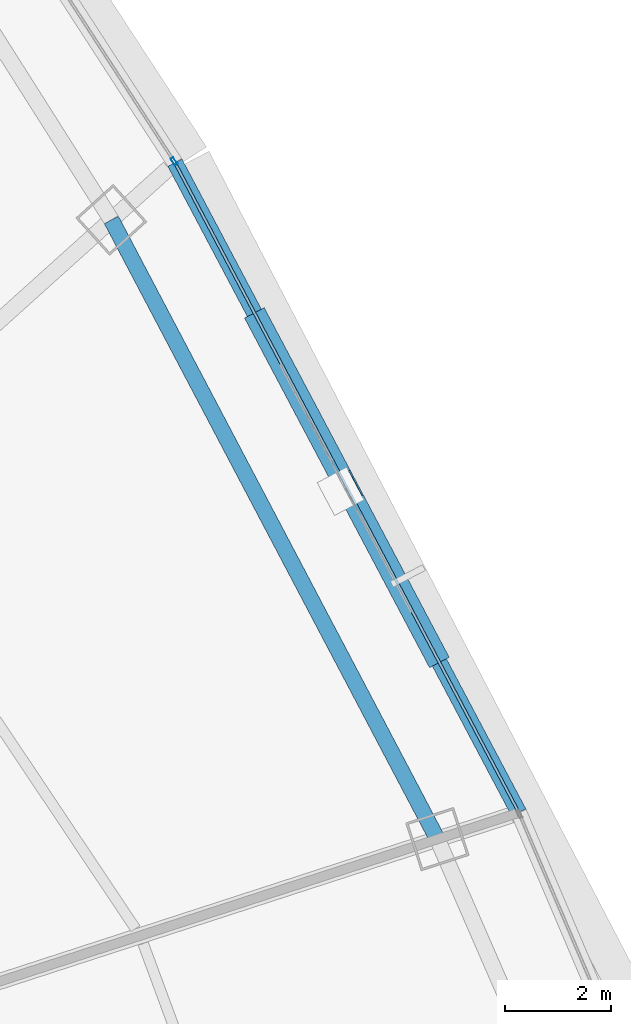
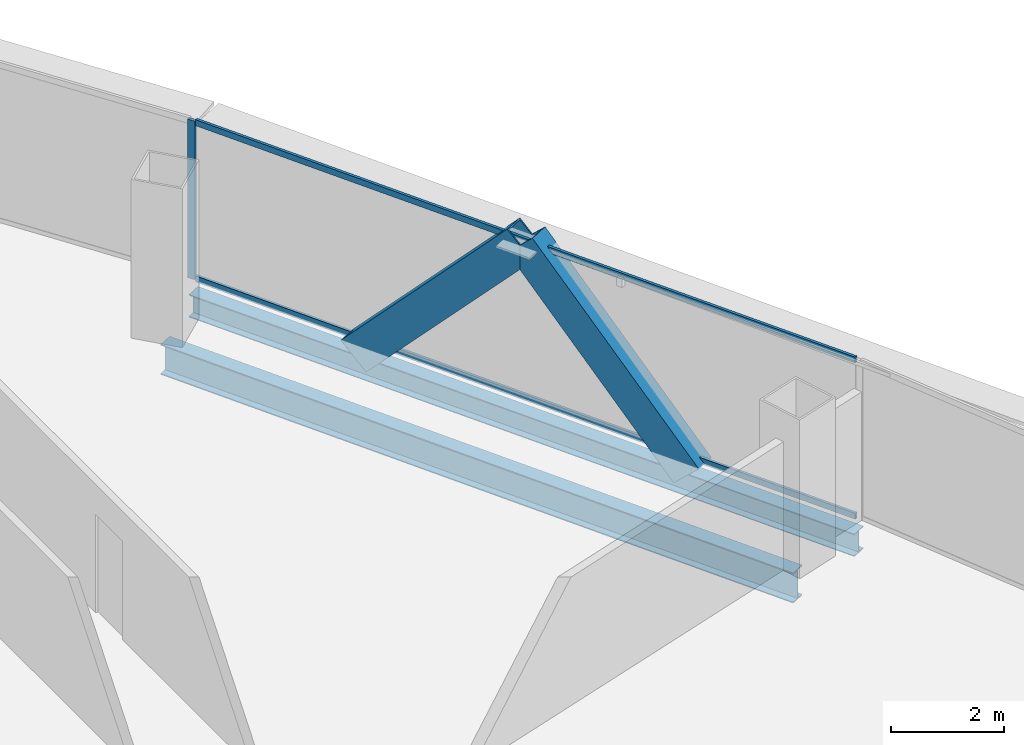
# One storey, part 27 of 39: 5 members, 2 beams, 2 elements without a shape of their own.
"""IFC4 building model written with IfcOpenShell, lengths in metres."""

from ifc_helpers import new_model, si_unit, direction, frame, origin, origin_2d, place, context, subcontext, project, spatial, hollow_rectangle, i_section, extrude, source, transform, mapped, material, layer, layer_set, material_profile, profile_set, type_object, element, aggregate, save


model = new_model("IFC4")

# Units and contexts
model_context = context("Model", 3, precision=1e-05, world=origin(), true_north=direction((0.0, 1.0)))
body_context = subcontext(model_context, "Body", "Model", "MODEL_VIEW")
ifc_project = project(units=[si_unit("LENGTHUNIT", "METRE"), si_unit("AREAUNIT", "SQUARE_METRE"), si_unit("VOLUMEUNIT", "CUBIC_METRE"), si_unit("PLANEANGLEUNIT", "RADIAN"), si_unit("MASSUNIT", "GRAM", prefix="KILO"), si_unit("THERMODYNAMICTEMPERATUREUNIT", "KELVIN"), si_unit("POWERUNIT", "WATT")], contexts=[model_context])

# Site, building, storey
site_placement = place(None, origin())
site = spatial("IfcSite", under=ifc_project, at=site_placement, CompositionType="ELEMENT")
building_placement = place(site_placement, origin())
building = spatial("IfcBuilding", under=site, at=building_placement, Name="Yunzhuo Pagoda Commons", CompositionType="ELEMENT")
storey_placement = place(building_placement, frame((0.0, 0.0, 148.22998046875)))
storey = spatial("IfcBuildingStorey", under=building, at=storey_placement, Name="L37", CompositionType="ELEMENT", Elevation=148.22998046875)

# Beams
ifc_material_1 = material(Name="Structural steel Q355B", Category="steel")
ifc_material_profile_1 = material_profile(ifc_material_1, i_section(OverallWidth=0.300048828125, OverallDepth=0.64990234375, WebThickness=0.012939453125, FlangeThickness=0.02197265625, at=origin_2d()), Name="Structural steel Q355B")
ifc_profile_set_1 = profile_set([ifc_material_profile_1], Name="Structural steel Q355B")
beam_type_1 = type_object("IfcBeamType", Name="B-RG2 Beam HN 650x300x13x22", PredefinedType="BEAM", material=ifc_profile_set_1)
shared_shape_1 = source(origin(), body_context, "Body", "SweptSolid", [
    extrude(i_section(OverallWidth=0.300048828125, OverallDepth=0.64990234375, WebThickness=0.012939453125, FlangeThickness=0.02197265625, at=origin_2d()), origin(), (0.0, 0.0, 1.0), 13.198974609375),
])
beam_1_placement = place(storey_placement, frame((77.915283203125, 43.420166015625, -0.584716796875), z_axis=(-0.465885937554, 0.884844784801, 0.0), x_axis=(-0.884844784801, -0.465885937554, 0.0)))
element("IfcBeam", 1, at=beam_1_placement, inside=storey, type_object=beam_type_1, Name="L37 column-ring beam 6", PredefinedType="BEAM", context=body_context, shape_type="MappedRepresentation", body=[
    mapped(shared_shape_1, transform((0.0, 0.0, 0.0), scale=1.0)),
])
ifc_material_profile_2 = material_profile(ifc_material_1, i_section(OverallWidth=0.300048828125, OverallDepth=0.488037109375, WebThickness=0.010986328125, FlangeThickness=0.01806640625, at=origin_2d()), Name="Structural steel Q355B")
ifc_profile_set_2 = profile_set([ifc_material_profile_2], Name="Structural steel Q355B")
beam_type_2 = type_object("IfcBeamType", Name="B-SP1 Beam HM 488x300x11x18", PredefinedType="BEAM", material=ifc_profile_set_2)
shared_shape_2 = source(origin(), body_context, "Body", "SweptSolid", [
    extrude(i_section(OverallWidth=0.300048828125, OverallDepth=0.488037109375, WebThickness=0.010986328125, FlangeThickness=0.01806640625, at=origin_2d()), origin(), (0.0, 0.0, 1.0), 13.869384765625),
])
beam_2_placement = place(storey_placement, frame((79.45166015625, 43.91943359375, -0.50390625), z_axis=(-0.467725147868, 0.883873965027, 0.0), x_axis=(-0.883873965027, -0.467725147868, 0.0)))
element("IfcBeam", 2, at=beam_2_placement, inside=storey, type_object=beam_type_2, Name="L37 facade edge spandrel beam F2.2", PredefinedType="BEAM", context=body_context, shape_type="MappedRepresentation", body=[
    mapped(shared_shape_2, transform((0.0, 0.0, 0.0), scale=1.0)),
])

# Members
ifc_material_2 = material(Name="Structural steel Q420B", Category="steel")
ifc_material_profile_3 = material_profile(ifc_material_2, hollow_rectangle(XDim=0.419921875, YDim=0.719970703125, WallThickness=0.028076171875, at=origin_2d()), Name="Structural steel Q420B")
ifc_profile_set_3 = profile_set([ifc_material_profile_3], Name="Structural steel Q420B")
member_type_1 = type_object("IfcMemberType", Name="M-DL1 Brace BOX 720x420x28", PredefinedType="BRACE", material=ifc_profile_set_3)
shared_shape_3 = source(origin(), body_context, "Body", "SweptSolid", [
    extrude(hollow_rectangle(XDim=0.419921875, YDim=0.719970703125, WallThickness=0.028076171875, at=origin_2d()), origin(), (0.0, 0.0, 1.0), 5.05615234375),
])
for number, where, z_axis, x_axis, name in (
    (3, (77.829833984375, 46.98388671875, -0.260009765625), (-0.320710776386, 0.606173304239, 0.727803904316), (-0.883911196079, -0.467654784479, 0.0), "L37 facade diamond brace F2.2L"),
    (4, (74.58642578125, 53.113525390625, -0.260009765625), (0.320763482228, -0.606133372333, 0.727813934611), (0.883866687787, 0.467738899623, 0.0), "L37 facade diamond brace F2.2R"),
):
    element("IfcMember", number, at=place(storey_placement, frame(where, z_axis=z_axis, x_axis=x_axis)), inside=storey, type_object=member_type_1, Name=name, PredefinedType="BRACE", context=body_context, shape_type="MappedRepresentation", body=[
        mapped(shared_shape_3, transform((0.0, 0.0, 0.0), scale=1.0)),
    ])

# Curtain wall, members
ifc_material_3 = material(Name="Anodized aluminium 6063-T6", Category="aluminium")
ifc_layer = layer(ifc_material_3, 0.14990234375)
ifc_layer_set = layer_set([ifc_layer], Name="Anodized aluminium 6063-T6")
curtain_wall_type = type_object("IfcCurtainWallType", Name="CW-MID Mid-Zone Ribbon Curtain Wall", PredefinedType="NOTDEFINED", material=ifc_layer_set)
curtain_wall_1_placement = place(storey_placement, origin())
curtain_wall_1 = element("IfcCurtainWall", 5, at=curtain_wall_1_placement, inside=storey, type_object=curtain_wall_type, Name="L37 curtain wall CW-L37-F2B3", PredefinedType="NOTDEFINED")
ifc_material_profile_4 = material_profile(ifc_material_3, hollow_rectangle(XDim=0.054931640625, YDim=0.1298828125, WallThickness=0.00341796875, at=origin_2d()), Name="Anodized aluminium 6063-T6")
ifc_profile_set_4 = profile_set([ifc_material_profile_4], Name="Anodized aluminium 6063-T6")
member_type_2 = type_object("IfcMemberType", Name="CW-MID-T Transom RHS 130x55x3.5", PredefinedType="USERDEFINED", material=ifc_profile_set_4)
shared_shape_4 = source(origin(), body_context, "Body", "SweptSolid", [
    extrude(hollow_rectangle(XDim=0.054931640625, YDim=0.1298828125, WallThickness=0.00341796875, at=origin_2d()), origin(), (0.0, 0.0, 1.0), 13.74951171875),
])
member_1_placement = place(storey_placement, frame((79.423583984375, 43.972412109375, 0.027587890625), z_axis=(-0.467720466259, 0.883876442407, 0.0), x_axis=(-0.883876442407, -0.467720466259, 0.0)))
member_1 = element("IfcMember", 6, at=member_1_placement, type_object=member_type_2, Name="CW transom 1.1", ObjectType="TRANSOM", PredefinedType="USERDEFINED", context=body_context, shape_type="MappedRepresentation", body=[
    mapped(shared_shape_4, transform((0.0, 0.0, 0.0), scale=1.0)),
])
member_2_placement = place(storey_placement, frame((79.423583984375, 43.972412109375, 3.392578125), z_axis=(-0.467720466259, 0.883876442407, 0.0), x_axis=(-0.883876442407, -0.467720466259, 0.0)))
member_2 = element("IfcMember", 7, at=member_2_placement, type_object=member_type_2, Name="CW transom 1.2", ObjectType="TRANSOM", PredefinedType="USERDEFINED", context=body_context, shape_type="MappedRepresentation", body=[
    mapped(shared_shape_4, transform((0.0, 0.0, 0.0), scale=1.0)),
])
aggregate(curtain_wall_1, [member_1, member_2])

# Curtain wall, member
curtain_wall_2_placement = place(storey_placement, origin())
curtain_wall_2 = element("IfcCurtainWall", 8, at=curtain_wall_2_placement, inside=storey, type_object=curtain_wall_type, Name="L37 curtain wall CW-L37-F2B4", PredefinedType="NOTDEFINED")
ifc_material_profile_5 = material_profile(ifc_material_3, hollow_rectangle(XDim=0.06005859375, YDim=0.14990234375, WallThickness=0.00390625, at=origin_2d()), Name="Anodized aluminium 6063-T6")
ifc_profile_set_5 = profile_set([ifc_material_profile_5], Name="Anodized aluminium 6063-T6")
member_type_3 = type_object("IfcMemberType", Name="CW-MID-M Mullion RHS 150x60x4", PredefinedType="MULLION", material=ifc_profile_set_5)
shared_shape_5 = source(origin(), body_context, "Body", "SweptSolid", [
    extrude(hollow_rectangle(XDim=0.06005859375, YDim=0.14990234375, WallThickness=0.00390625, at=origin_2d()), origin(), (0.0, 0.0, 1.0), 3.419677734375),
])
member_3_placement = place(storey_placement, frame((72.948486328125, 56.203369140625, 0.000244140625), z_axis=(0.0, 0.0, 1.0), x_axis=(-0.839320281383, -0.543637255216, 0.0)))
member_3 = element("IfcMember", 9, at=member_3_placement, type_object=member_type_3, Name="CW mullion 1", PredefinedType="MULLION", context=body_context, shape_type="MappedRepresentation", body=[
    mapped(shared_shape_5, transform((0.0, 0.0, 0.0), scale=1.0)),
])
aggregate(curtain_wall_2, [member_3])

save(model, "model.ifc")
